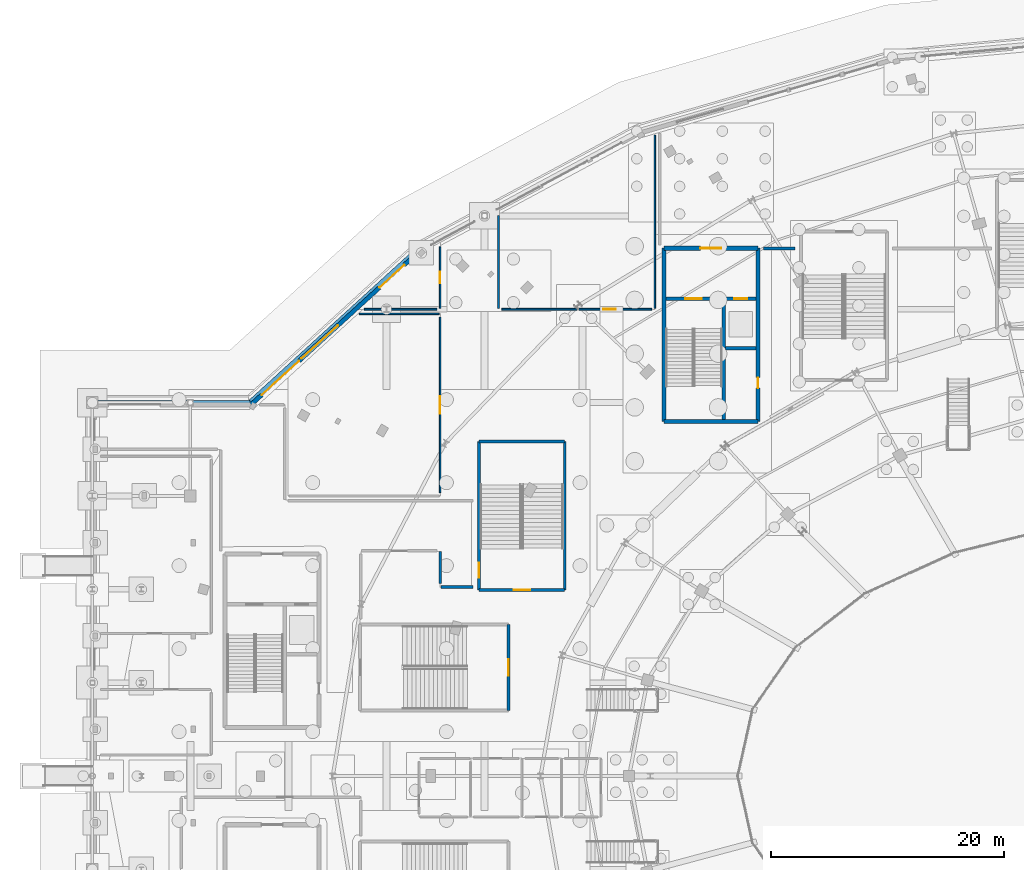
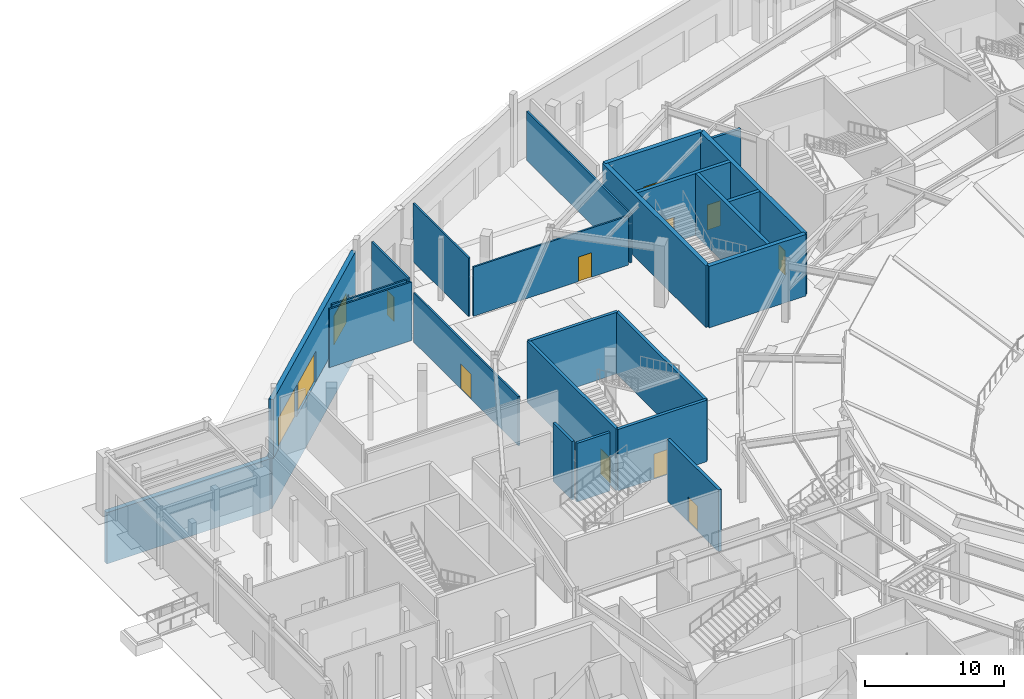
# One storey, part 57 of 93: 25 walls, 13 doors, 13 openings.
"""IFC4 building model written with IfcOpenShell, lengths in metres."""

from ifc_helpers import new_model, si_unit, direction, frame, frame_2d, origin, place, context, subcontext, project, spatial, rectangle, extrude, material, layer, layer_set, type_object, element, fill, save


model = new_model("IFC4")

# Units and contexts
model_context = context("Model", 3, precision=1e-05, world=origin(), true_north=direction((0.0, 1.0)))
body_context = subcontext(model_context, "Body", "Model", "MODEL_VIEW")
ifc_project = project(units=[si_unit("LENGTHUNIT", "METRE"), si_unit("AREAUNIT", "SQUARE_METRE"), si_unit("VOLUMEUNIT", "CUBIC_METRE"), si_unit("PLANEANGLEUNIT", "RADIAN"), si_unit("MASSUNIT", "GRAM", prefix="KILO")], contexts=[model_context])

# Site, building, storey
site_placement = place(None, origin())
site = spatial("IfcSite", under=ifc_project, at=site_placement, CompositionType="ELEMENT")
building_placement = place(site_placement, origin())
building = spatial("IfcBuilding", under=site, at=building_placement, Name="Kalgoora Escarpment Arena", CompositionType="ELEMENT")
storey_placement = place(building_placement, origin())
storey = spatial("IfcBuildingStorey", under=building, at=storey_placement, Name="L00", CompositionType="ELEMENT", Elevation=0.0)

# Wall
ifc_material_1 = material(Name="Concrete N50 (fc' 50 MPa)", Category="concrete")
ifc_layer_1 = layer(ifc_material_1, 0.35009765625)
ifc_layer_set_1 = layer_set([ifc_layer_1], Name="WAL-CORE-350")
wall_type_1 = type_object("IfcWallType", Name="WAL-CORE-350", PredefinedType="SHEAR", material=ifc_layer_set_1)
wall_1_placement = place(storey_placement, frame((48.97509765625, 94.375, 0.0), z_axis=(0.0, 0.0, 1.0), x_axis=(1.0, 0.0, 0.0)))
element("IfcWall", 1, at=wall_1_placement, inside=storey, type_object=wall_type_1, Name="Core C3 L00 south shear wall", PredefinedType="SHEAR", context=body_context, shape_type="SweptSolid", body=[
    extrude(rectangle(XDim=8.0498046875, YDim=0.35009765625, at=frame_2d((4.02490234375, 0.0))), origin(), (0.0, 0.0, 1.0), 5.39990234375),
])

# Wall, opening, door
wall_2_placement = place(storey_placement, frame((48.97509765625, 109.22509765625, 0.0), z_axis=(0.0, 0.0, 1.0), x_axis=(1.0, 0.0, 0.0)))
wall_2 = element("IfcWall", 2, at=wall_2_placement, inside=storey, type_object=wall_type_1, Name="Core C3 L00 north lobby wall", PredefinedType="SHEAR", context=body_context, shape_type="SweptSolid", body=[
    extrude(rectangle(XDim=8.0498046875, YDim=0.35009765625, at=frame_2d((4.02490234375, 0.0))), origin(), (0.0, 0.0, 1.0), 5.39990234375),
])
opening_1_placement = place(wall_2_placement, frame((3.125, 0.0, 0.0)))
opening_1 = element("IfcOpeningElement", 3, at=opening_1_placement, cuts=wall_2, Name="Opening FD-C3L", PredefinedType="OPENING", context=body_context, shape_type="SweptSolid", body=[
    extrude(rectangle(XDim=1.800048828125, YDim=2.25, at=frame_2d((0.89990234375, 1.125))), frame((0.0, 0.18505859375, 0.0), z_axis=(0.0, -1.0, 0.0), x_axis=(1.0, 0.0, 0.0)), (0.0, 0.0, 1.0), 0.3701171875),
])
ifc_material_2 = material(Name="Double fire-rated smoke-seal lobby door")
door_type_1 = type_object("IfcDoorType", Name="DR-LOBBY-1800", OperationType="NOTDEFINED", PredefinedType="DOOR", material=ifc_material_2)
door_1_placement = place(opening_1_placement, origin())
door_1 = element("IfcDoor", 4, at=door_1_placement, inside=storey, type_object=door_type_1, Name="Core C3 L00 smoke-lobby fire door", OperationType="DOUBLE_DOOR_SINGLE_SWING", OverallHeight=2.25, OverallWidth=1.800048828125, PredefinedType="DOOR", context=body_context, shape_type="SweptSolid", body=[
    extrude(rectangle(XDim=1.800048828125, YDim=2.25, at=frame_2d((0.89990234375, 1.125))), frame((0.0, 0.02490234375, 0.0), z_axis=(0.0, -1.0, 0.0), x_axis=(1.0, 0.0, 0.0)), (0.0, 0.0, 1.0), 0.050048828125),
])
fill(opening_1, door_1)

# Wall
wall_3_placement = place(storey_placement, frame((48.97509765625, 94.375, 0.0), z_axis=(0.0, 0.0, 1.0), x_axis=(0.0, 1.0, 0.0)))
element("IfcWall", 5, at=wall_3_placement, inside=storey, type_object=wall_type_1, Name="Core C3 L00 west shear wall", PredefinedType="SHEAR", context=body_context, shape_type="SweptSolid", body=[
    extrude(rectangle(XDim=14.85009765625, YDim=0.35009765625, at=frame_2d((7.425048828125, 0.0))), origin(), (0.0, 0.0, 1.0), 5.39990234375),
])

# Wall, opening, door
wall_4_placement = place(storey_placement, frame((57.02490234375, 94.375, 0.0), z_axis=(0.0, 0.0, 1.0), x_axis=(0.0, 1.0, 0.0)))
wall_4 = element("IfcWall", 6, at=wall_4_placement, inside=storey, type_object=wall_type_1, Name="Core C3 L00 east shear wall", PredefinedType="SHEAR", context=body_context, shape_type="SweptSolid", body=[
    extrude(rectangle(XDim=14.85009765625, YDim=0.35009765625, at=frame_2d((7.425048828125, 0.0))), origin(), (0.0, 0.0, 1.0), 5.39990234375),
])
opening_2_placement = place(wall_4_placement, frame((2.85498046875, 0.0, 0.0)))
opening_2 = element("IfcOpeningElement", 7, at=opening_2_placement, cuts=wall_4, Name="Opening FD-C3R", PredefinedType="OPENING", context=body_context, shape_type="SweptSolid", body=[
    extrude(rectangle(XDim=0.89990234375, YDim=2.10009765625, at=frame_2d((0.449951171875, 1.050048828125))), frame((0.0, 0.18505859375, 0.0), z_axis=(0.0, -1.0, 0.0), x_axis=(1.0, 0.0, 0.0)), (0.0, 0.0, 1.0), 0.3701171875),
])
ifc_material_3 = material(Name="Fire-rated steel riser access door", Category="steel")
door_type_2 = type_object("IfcDoorType", Name="DR-RISER-0900", OperationType="NOTDEFINED", PredefinedType="DOOR", material=ifc_material_3)
door_2_placement = place(opening_2_placement, origin())
door_2 = element("IfcDoor", 8, at=door_2_placement, inside=storey, type_object=door_type_2, Name="Core C3 L00 riser cupboard access door", OperationType="SINGLE_SWING_RIGHT", OverallHeight=2.10009765625, OverallWidth=0.89990234375, PredefinedType="DOOR", context=body_context, shape_type="SweptSolid", body=[
    extrude(rectangle(XDim=0.89990234375, YDim=2.10009765625, at=frame_2d((0.449951171875, 1.050048828125))), frame((0.0, 0.02490234375, 0.0), z_axis=(0.0, -1.0, 0.0), x_axis=(1.0, 0.0, 0.0)), (0.0, 0.0, 1.0), 0.050048828125),
])
fill(opening_2, door_2)

# Wall, openings, doors
ifc_material_4 = material(Name="Cream limestone-faced precast concrete 40 MPa", Category="masonry")
ifc_layer_2 = layer(ifc_material_4, 0.360107421875)
ifc_layer_set_2 = layer_set([ifc_layer_2], Name="WAL-EXT-360")
wall_type_2 = type_object("IfcWallType", Name="WAL-EXT-360", PredefinedType="SOLIDWALL", material=ifc_layer_set_2)
wall_5_placement = place(storey_placement, frame((13.617431640625, 95.837890625, 0.0), z_axis=(0.0, 0.0, 1.0), x_axis=(0.73898948924, 0.673716954509, 0.0)))
wall_5 = element("IfcWall", 9, at=wall_5_placement, inside=storey, type_object=wall_type_2, Name="L00 limestone-faced external wall 013", PredefinedType="SOLIDWALL", context=body_context, shape_type="SweptSolid", body=[
    extrude(rectangle(XDim=19.55078125, YDim=0.360107421875, at=frame_2d((9.775390625, 0.0))), origin(), (0.0, 0.0, 1.0), 5.14990234375),
])
opening_3_placement = place(wall_5_placement, frame((1.219970703125, 0.0, 0.0)))
opening_3 = element("IfcOpeningElement", 10, at=opening_3_placement, cuts=wall_5, Name="Opening G38", PredefinedType="OPENING", context=body_context, shape_type="SweptSolid", body=[
    extrude(rectangle(XDim=4.300048828125, YDim=2.75, at=frame_2d((2.14990234375, 1.375))), frame((0.0, 0.18994140625, 0.0), z_axis=(0.0, -1.0, 0.0), x_axis=(1.0, 0.0, 0.0)), (0.0, 0.0, 1.0), 0.380126953125),
])
opening_4_placement = place(wall_5_placement, frame((5.840087890625, 0.0, 0.0)))
opening_4 = element("IfcOpeningElement", 11, at=opening_4_placement, cuts=wall_5, Name="Opening G39", PredefinedType="OPENING", context=body_context, shape_type="SweptSolid", body=[
    extrude(rectangle(XDim=4.199951171875, YDim=2.699951171875, at=frame_2d((2.10009765625, 1.35009765625))), frame((0.0, 0.18994140625, 0.0), z_axis=(0.0, -1.0, 0.0), x_axis=(1.0, 0.0, 0.0)), (0.0, 0.0, 1.0), 0.380126953125),
])
opening_5_placement = place(wall_5_placement, frame((14.860107421875, 0.0, 0.0)))
opening_5 = element("IfcOpeningElement", 12, at=opening_5_placement, cuts=wall_5, Name="Opening G61", PredefinedType="OPENING", context=body_context, shape_type="SweptSolid", body=[
    extrude(rectangle(XDim=2.89990234375, YDim=2.550048828125, at=frame_2d((1.449951171875, 1.27490234375))), frame((0.0, 0.18994140625, 0.0), z_axis=(0.0, -1.0, 0.0), x_axis=(1.0, 0.0, 0.0)), (0.0, 0.0, 1.0), 0.380126953125),
])
ifc_material_5 = material(Name="Champagne anodised aluminium acoustic egress leaf", Category="aluminium")
door_type_3 = type_object("IfcDoorType", Name="DR-EGEXIT-2750", OperationType="NOTDEFINED", PredefinedType="DOOR", material=ifc_material_5)
door_3_placement = place(opening_4_placement, origin())
door_3 = element("IfcDoor", 13, at=door_3_placement, inside=storey, type_object=door_type_3, Name="Final pedestrian exit door G39", OperationType="DOUBLE_DOOR_SINGLE_SWING", OverallHeight=2.699951171875, OverallWidth=4.199951171875, PredefinedType="DOOR", context=body_context, shape_type="SweptSolid", body=[
    extrude(rectangle(XDim=4.199951171875, YDim=2.699951171875, at=frame_2d((2.10009765625, 1.35009765625))), frame((0.0, 0.02490234375, 0.0), z_axis=(0.0, -1.0, 0.0), x_axis=(1.0, 0.0, 0.0)), (0.0, 0.0, 1.0), 0.050048828125),
])
fill(opening_4, door_3)
ifc_material_6 = material(Name="Champagne anodised aluminium acoustic egress leaf", Category="aluminium")
door_type_4 = type_object("IfcDoorType", Name="DR-EGEXIT-2800", OperationType="NOTDEFINED", PredefinedType="DOOR", material=ifc_material_6)
door_4_placement = place(opening_3_placement, origin())
door_4 = element("IfcDoor", 14, at=door_4_placement, inside=storey, type_object=door_type_4, Name="Final pedestrian exit door G38", OperationType="DOUBLE_DOOR_SINGLE_SWING", OverallHeight=2.75, OverallWidth=4.300048828125, PredefinedType="DOOR", context=body_context, shape_type="SweptSolid", body=[
    extrude(rectangle(XDim=4.300048828125, YDim=2.75, at=frame_2d((2.14990234375, 1.375))), frame((0.0, 0.02490234375, 0.0), z_axis=(0.0, -1.0, 0.0), x_axis=(1.0, 0.0, 0.0)), (0.0, 0.0, 1.0), 0.050048828125),
])
fill(opening_3, door_4)
ifc_material_7 = material(Name="Champagne anodised aluminium pedestrian egress gate leaf", Category="aluminium")
door_type_5 = type_object("IfcDoorType", Name="DR-PEDGATE-2900", OperationType="NOTDEFINED", PredefinedType="DOOR", material=ifc_material_7)
door_5_placement = place(opening_5_placement, origin())
door_5 = element("IfcDoor", 15, at=door_5_placement, inside=storey, type_object=door_type_5, Name="Final pedestrian exit door G61", OperationType="DOUBLE_DOOR_SINGLE_SWING", OverallHeight=2.550048828125, OverallWidth=2.89990234375, PredefinedType="DOOR", context=body_context, shape_type="SweptSolid", body=[
    extrude(rectangle(XDim=2.89990234375, YDim=2.550048828125, at=frame_2d((1.449951171875, 1.27490234375))), frame((0.0, 0.02490234375, 0.0), z_axis=(0.0, -1.0, 0.0), x_axis=(1.0, 0.0, 0.0)), (0.0, 0.0, 1.0), 0.050048828125),
])
fill(opening_5, door_5)

# Walls
ifc_material_8 = material(Name="Autoclaved aerated blockwork Concrete N40 (fc' 40 MPa)", Category="masonry")
ifc_layer_3 = layer(ifc_material_8, 0.219970703125)
ifc_layer_set_3 = layer_set([ifc_layer_3], Name="WAL-FIRE-220")
wall_type_3 = type_object("IfcWallType", Name="WAL-FIRE-220", PredefinedType="SOLIDWALL", material=ifc_layer_set_3)
wall_6_placement = place(storey_placement, frame((60.22509765625, 109.199951171875, 0.0), z_axis=(0.0, 0.0, 1.0), x_axis=(-1.0, 0.0, 0.0)))
element("IfcWall", 16, at=wall_6_placement, inside=storey, type_object=wall_type_3, Name="L00 North Protected Exit Passageway partition wall", PredefinedType="SOLIDWALL", context=body_context, shape_type="SweptSolid", body=[
    extrude(rectangle(XDim=2.7001953125, YDim=0.219970703125, at=frame_2d((1.35009765625, 0.0))), origin(), (0.0, 0.0, 1.0), 4.492919921875),
])
wall_7_placement = place(storey_placement, frame((32.625, 80.199951171875, 0.0), z_axis=(0.0, 0.0, 1.0), x_axis=(-1.0, 0.0, 0.0)))
element("IfcWall", 17, at=wall_7_placement, inside=storey, type_object=wall_type_3, Name="L00 North-West Protected Exit Passageway partition wall", PredefinedType="SOLIDWALL", context=body_context, shape_type="SweptSolid", body=[
    extrude(rectangle(XDim=2.7451171875, YDim=0.219970703125, at=frame_2d((1.37255859375, 0.0))), origin(), (0.0, 0.0, 1.0), 5.1298828125),
])
wall_8_placement = place(storey_placement, frame((29.800048828125, 80.48486328125, 0.0), z_axis=(0.0, 0.0, 1.0), x_axis=(0.0, 1.0, 0.0)))
element("IfcWall", 18, at=wall_8_placement, inside=storey, type_object=wall_type_3, Name="L00 North-West Protected Exit Passageway partition wall", PredefinedType="SOLIDWALL", context=body_context, shape_type="SweptSolid", body=[
    extrude(rectangle(XDim=2.735107421875, YDim=0.219970703125, at=frame_2d((1.36767578125, 0.0))), origin(), (0.0, 0.0, 1.0), 5.1298828125),
])
ifc_material_9 = material(Name="Concrete N40 (fc' 40 MPa)", Category="concrete")
ifc_layer_4 = layer(ifc_material_9, 0.39501953125)
ifc_layer_set_4 = layer_set([ifc_layer_4], Name="WAL-RET-395")
wall_type_4 = type_object("IfcWallType", Name="WAL-RET-395", PredefinedType="USERDEFINED", material=ifc_layer_set_4)
wall_9_placement = place(storey_placement, frame((0.0, 96.0, -4.5), z_axis=(0.0, 0.0, 1.0), x_axis=(1.0, 0.0, 0.0)))
element("IfcWall", 19, at=wall_9_placement, inside=storey, type_object=wall_type_4, Name="Escarpment stepped limestone plinth retaining wall 10", ObjectType="RETAININGWALL", PredefinedType="USERDEFINED", context=body_context, shape_type="SweptSolid", body=[
    extrude(rectangle(XDim=13.5283203125, YDim=0.39501953125, at=frame_2d((6.76416015625, 0.0))), origin(), (0.0, 0.0, 1.0), 4.5),
])
ifc_material_10 = material(Name="Concrete N40 (fc' 40 MPa)", Category="concrete")
ifc_layer_5 = layer(ifc_material_10, 0.43994140625)
ifc_layer_set_5 = layer_set([ifc_layer_5], Name="WAL-RET-440")
wall_type_5 = type_object("IfcWallType", Name="WAL-RET-440", PredefinedType="USERDEFINED", material=ifc_layer_set_5)
wall_10_placement = place(storey_placement, frame((13.5283203125, 96.0, -4.5), z_axis=(0.0, 0.0, 1.0), x_axis=(0.738984680234, 0.673722229394, 0.0)))
element("IfcWall", 20, at=wall_10_placement, inside=storey, type_object=wall_type_5, Name="Escarpment stepped limestone plinth retaining wall 11", ObjectType="RETAININGWALL", PredefinedType="USERDEFINED", context=body_context, shape_type="SweptSolid", body=[
    extrude(rectangle(XDim=19.4638671875, YDim=0.43994140625, at=frame_2d((9.73193359375, 0.0))), origin(), (0.0, 0.0, 1.0), 4.5),
])

# Wall, opening, door
ifc_material_11 = material(Name="Insulated steel-stud acoustic partition", Category="steel")
ifc_layer_6 = layer(ifc_material_11, 0.14501953125)
ifc_layer_set_6 = layer_set([ifc_layer_6], Name="WAL-ROOM-145")
wall_type_6 = type_object("IfcWallType", Name="WAL-ROOM-145", PredefinedType="PARTITIONING", material=ifc_layer_set_6)
wall_11_placement = place(storey_placement, frame((29.800048828125, 109.331787109375, 0.0), z_axis=(0.0, 0.0, 1.0), x_axis=(0.0, -1.0, 0.0)))
wall_11 = element("IfcWall", 21, at=wall_11_placement, inside=storey, type_object=wall_type_6, Name="L00 Officials Room partition wall", PredefinedType="PARTITIONING", context=body_context, shape_type="SweptSolid", body=[
    extrude(rectangle(XDim=5.251708984375, YDim=0.14501953125, at=frame_2d((2.6259765625, 0.0))), origin(), (0.0, 0.0, 1.0), 5.1298828125),
])
opening_6_placement = place(wall_11_placement, frame((2.135986328125, 0.0, 0.0)))
opening_6 = element("IfcOpeningElement", 22, at=opening_6_placement, cuts=wall_11, Name="Opening D-I022", PredefinedType="OPENING", context=body_context, shape_type="SweptSolid", body=[
    extrude(rectangle(XDim=0.97998046875, YDim=2.14990234375, at=frame_2d((0.489990234375, 1.074951171875))), frame((0.0, 0.08251953125, 0.0), z_axis=(0.0, -1.0, 0.0), x_axis=(1.0, 0.0, 0.0)), (0.0, 0.0, 1.0), 0.1650390625),
])
ifc_material_12 = material(Name="Solid-core acoustic timber door", Category="wood")
door_type_6 = type_object("IfcDoorType", Name="DR-GEN-0980", OperationType="NOTDEFINED", PredefinedType="DOOR", material=ifc_material_12)
door_6_placement = place(opening_6_placement, origin())
door_6 = element("IfcDoor", 23, at=door_6_placement, inside=storey, type_object=door_type_6, Name="Officials Room entrance door", OperationType="SINGLE_SWING_LEFT", OverallHeight=2.14990234375, OverallWidth=0.97998046875, PredefinedType="DOOR", context=body_context, shape_type="SweptSolid", body=[
    extrude(rectangle(XDim=0.97998046875, YDim=2.14990234375, at=frame_2d((0.489990234375, 1.074951171875))), frame((0.0, 0.02490234375, 0.0), z_axis=(0.0, -1.0, 0.0), x_axis=(1.0, 0.0, 0.0)), (0.0, 0.0, 1.0), 0.050048828125),
])
fill(opening_6, door_6)

# Walls
wall_12_placement = place(storey_placement, frame((29.51513671875, 104.0, 0.0), z_axis=(0.0, 0.0, 1.0), x_axis=(-1.0, 0.0, 0.0)))
element("IfcWall", 24, at=wall_12_placement, inside=storey, type_object=wall_type_6, Name="L00 Officials Room partition wall", PredefinedType="PARTITIONING", context=body_context, shape_type="SweptSolid", body=[
    extrude(rectangle(XDim=6.197021484375, YDim=0.14501953125, at=frame_2d((3.0986328125, 0.0))), origin(), (0.0, 0.0, 1.0), 5.1298828125),
])
wall_13_placement = place(storey_placement, frame((34.800048828125, 104.080078125, 0.0), z_axis=(0.0, 0.0, 1.0), x_axis=(0.0, 1.0, 0.0)))
element("IfcWall", 25, at=wall_13_placement, inside=storey, type_object=wall_type_6, Name="L00 Referee Changing Lounge partition wall", PredefinedType="PARTITIONING", context=body_context, shape_type="SweptSolid", body=[
    extrude(rectangle(XDim=7.935791015625, YDim=0.14501953125, at=frame_2d((3.9677734375, 0.0))), origin(), (0.0, 0.0, 1.0), 5.1298828125),
])
wall_14_placement = place(storey_placement, frame((48.199951171875, 118.922119140625, 0.0), z_axis=(0.0, 0.0, 1.0), x_axis=(0.0, -1.0, 0.0)))
element("IfcWall", 26, at=wall_14_placement, inside=storey, type_object=wall_type_6, Name="L00 Referee Changing Lounge partition wall", PredefinedType="PARTITIONING", context=body_context, shape_type="SweptSolid", body=[
    extrude(rectangle(XDim=14.842041015625, YDim=0.14501953125, at=frame_2d((7.4208984375, 0.0))), origin(), (0.0, 0.0, 1.0), 4.304931640625),
])

# Wall, opening, door
wall_15_placement = place(storey_placement, frame((47.915283203125, 104.0, 0.0), z_axis=(0.0, 0.0, 1.0), x_axis=(-1.0, 0.0, 0.0)))
wall_15 = element("IfcWall", 27, at=wall_15_placement, inside=storey, type_object=wall_type_6, Name="L00 Referee Changing Lounge partition wall", PredefinedType="PARTITIONING", context=body_context, shape_type="SweptSolid", body=[
    extrude(rectangle(XDim=12.83056640625, YDim=0.14501953125, at=frame_2d((6.415283203125, 0.0))), origin(), (0.0, 0.0, 1.0), 4.304931640625),
])
opening_7_placement = place(wall_15_placement, frame((3.05517578125, 0.0, 0.0)))
opening_7 = element("IfcOpeningElement", 28, at=opening_7_placement, cuts=wall_15, Name="Opening FD-I023", PredefinedType="OPENING", context=body_context, shape_type="SweptSolid", body=[
    extrude(rectangle(XDim=1.080078125, YDim=2.14990234375, at=frame_2d((0.5400390625, 1.074951171875))), frame((0.0, 0.08251953125, 0.0), z_axis=(0.0, -1.0, 0.0), x_axis=(1.0, 0.0, 0.0)), (0.0, 0.0, 1.0), 0.1650390625),
])
ifc_material_13 = material(Name="Solid-core acoustic timber door", Category="wood")
door_type_7 = type_object("IfcDoorType", Name="DR-GEN-1080", OperationType="NOTDEFINED", PredefinedType="DOOR", material=ifc_material_13)
door_7_placement = place(opening_7_placement, origin())
door_7 = element("IfcDoor", 29, at=door_7_placement, inside=storey, type_object=door_type_7, Name="Referee Changing Lounge entrance door", OperationType="SINGLE_SWING_RIGHT", OverallHeight=2.14990234375, OverallWidth=1.080078125, PredefinedType="DOOR", context=body_context, shape_type="SweptSolid", body=[
    extrude(rectangle(XDim=1.080078125, YDim=2.14990234375, at=frame_2d((0.5400390625, 1.074951171875))), frame((0.0, 0.02490234375, 0.0), z_axis=(0.0, -1.0, 0.0), x_axis=(1.0, 0.0, 0.0)), (0.0, 0.0, 1.0), 0.050048828125),
])
fill(opening_7, door_7)

# Wall
wall_16_placement = place(storey_placement, frame((22.87939453125, 103.60009765625, 0.0), z_axis=(0.0, 0.0, 1.0), x_axis=(1.0, 0.0, 0.0)))
element("IfcWall", 30, at=wall_16_placement, inside=storey, type_object=wall_type_6, Name="L00 Central Kitchen Commissary partition wall", PredefinedType="PARTITIONING", context=body_context, shape_type="SweptSolid", body=[
    extrude(rectangle(XDim=6.840576171875, YDim=0.14501953125, at=frame_2d((3.42041015625, 0.0))), origin(), (0.0, 0.0, 1.0), 5.1298828125),
])

# Wall, opening, door
wall_17_placement = place(storey_placement, frame((29.800048828125, 103.315185546875, 0.0), z_axis=(0.0, 0.0, 1.0), x_axis=(0.0, -1.0, 0.0)))
wall_17 = element("IfcWall", 31, at=wall_17_placement, inside=storey, type_object=wall_type_6, Name="L00 Central Kitchen Commissary partition wall", PredefinedType="PARTITIONING", context=body_context, shape_type="SweptSolid", body=[
    extrude(rectangle(XDim=15.0302734375, YDim=0.14501953125, at=frame_2d((7.51513671875, 0.0))), origin(), (0.0, 0.0, 1.0), 4.304931640625),
])
opening_8_placement = place(wall_17_placement, frame((6.76513671875, 0.0, 0.0)))
opening_8 = element("IfcOpeningElement", 32, at=opening_8_placement, cuts=wall_17, Name="Opening FD-I028", PredefinedType="OPENING", context=body_context, shape_type="SweptSolid", body=[
    extrude(rectangle(XDim=1.5, YDim=2.199951171875, at=frame_2d((0.75, 1.10009765625))), frame((0.0, 0.08251953125, 0.0), z_axis=(0.0, -1.0, 0.0), x_axis=(1.0, 0.0, 0.0)), (0.0, 0.0, 1.0), 0.1650390625),
])
ifc_material_14 = material(Name="Stainless-clad fire-rated kitchen double door")
door_type_8 = type_object("IfcDoorType", Name="DR-KIT-1500", OperationType="NOTDEFINED", PredefinedType="DOOR", material=ifc_material_14)
door_8_placement = place(opening_8_placement, origin())
door_8 = element("IfcDoor", 33, at=door_8_placement, inside=storey, type_object=door_type_8, Name="Central Kitchen Commissary entrance door", OperationType="DOUBLE_DOOR_SINGLE_SWING", OverallHeight=2.199951171875, OverallWidth=1.5, PredefinedType="DOOR", context=body_context, shape_type="SweptSolid", body=[
    extrude(rectangle(XDim=1.5, YDim=2.199951171875, at=frame_2d((0.75, 1.10009765625))), frame((0.0, 0.02490234375, 0.0), z_axis=(0.0, -1.0, 0.0), x_axis=(1.0, 0.0, 0.0)), (0.0, 0.0, 1.0), 0.050048828125),
])
fill(opening_8, door_8)

# Wall, openings, doors
ifc_material_15 = material(Name="Concrete N50 (fc' 50 MPa)", Category="concrete")
ifc_layer_7 = layer(ifc_material_15, 0.300048828125)
ifc_layer_set_7 = layer_set([ifc_layer_7], Name="WAL-SHAFT-300")
wall_type_7 = type_object("IfcWallType", Name="WAL-SHAFT-300", PredefinedType="SHEAR", material=ifc_layer_set_7)
wall_18_placement = place(storey_placement, frame((49.14990234375, 104.89990234375, 0.0), z_axis=(0.0, 0.0, 1.0), x_axis=(1.0, 0.0, 0.0)))
wall_18 = element("IfcWall", 34, at=wall_18_placement, inside=storey, type_object=wall_type_7, Name="Core C3 L00 lobby shaft wall", PredefinedType="SHEAR", context=body_context, shape_type="SweptSolid", body=[
    extrude(rectangle(XDim=7.7001953125, YDim=0.300048828125, at=frame_2d((3.85009765625, 0.0))), origin(), (0.0, 0.0, 1.0), 5.39990234375),
])
opening_9_placement = place(wall_18_placement, frame((1.64990234375, 0.0, 0.0)))
opening_9 = element("IfcOpeningElement", 35, at=opening_9_placement, cuts=wall_18, Name="Opening FD-ST03", PredefinedType="OPENING", context=body_context, shape_type="SweptSolid", body=[
    extrude(rectangle(XDim=1.39990234375, YDim=2.199951171875, at=frame_2d((0.699951171875, 1.10009765625))), frame((0.0, 0.159912109375, 0.0), z_axis=(0.0, -1.0, 0.0), x_axis=(1.0, 0.0, 0.0)), (0.0, 0.0, 1.0), 0.320068359375),
])
opening_10_placement = place(wall_18_placement, frame((5.85009765625, 0.0, 0.0)))
opening_10 = element("IfcOpeningElement", 36, at=opening_10_placement, cuts=wall_18, Name="Opening LD-PL1", PredefinedType="OPENING", context=body_context, shape_type="SweptSolid", body=[
    extrude(rectangle(XDim=1.10009765625, YDim=2.199951171875, at=frame_2d((0.550048828125, 1.10009765625))), frame((0.0, 0.159912109375, 0.0), z_axis=(0.0, -1.0, 0.0), x_axis=(1.0, 0.0, 0.0)), (0.0, 0.0, 1.0), 0.320068359375),
])
ifc_material_16 = material(Name="Brushed stainless steel sliding lift landing door", Category="steel")
door_type_9 = type_object("IfcDoorType", Name="DR-LD-PL1", OperationType="SLIDING_TO_LEFT", PredefinedType="DOOR", material=ifc_material_16)
door_9_placement = place(opening_10_placement, origin())
door_9 = element("IfcDoor", 37, at=door_9_placement, inside=storey, type_object=door_type_9, Name="Lift PL1 L00 sliding landing door", OperationType="SLIDING_TO_LEFT", OverallHeight=2.199951171875, OverallWidth=1.10009765625, PredefinedType="DOOR", context=body_context, shape_type="SweptSolid", body=[
    extrude(rectangle(XDim=1.10009765625, YDim=2.199951171875, at=frame_2d((0.550048828125, 1.10009765625))), frame((0.0, 0.02490234375, 0.0), z_axis=(0.0, -1.0, 0.0), x_axis=(1.0, 0.0, 0.0)), (0.0, 0.0, 1.0), 0.050048828125),
])
fill(opening_10, door_9)
ifc_material_17 = material(Name="Fire-rated steel stair leaf with vision panel", Category="steel")
door_type_10 = type_object("IfcDoorType", Name="DR-STAIR-1400", OperationType="NOTDEFINED", PredefinedType="DOOR", material=ifc_material_17)
door_10_placement = place(opening_9_placement, origin())
door_10 = element("IfcDoor", 38, at=door_10_placement, inside=storey, type_object=door_type_10, Name="Fire stair ST03 L00 fire door", OperationType="SINGLE_SWING_LEFT", OverallHeight=2.199951171875, OverallWidth=1.39990234375, PredefinedType="DOOR", context=body_context, shape_type="SweptSolid", body=[
    extrude(rectangle(XDim=1.39990234375, YDim=2.199951171875, at=frame_2d((0.699951171875, 1.10009765625))), frame((0.0, 0.02490234375, 0.0), z_axis=(0.0, -1.0, 0.0), x_axis=(1.0, 0.0, 0.0)), (0.0, 0.0, 1.0), 0.050048828125),
])
fill(opening_9, door_10)

# Walls
wall_19_placement = place(storey_placement, frame((54.10009765625, 94.550048828125, 0.0), z_axis=(0.0, 0.0, 1.0), x_axis=(0.0, 1.0, 0.0)))
element("IfcWall", 39, at=wall_19_placement, inside=storey, type_object=wall_type_7, Name="Core C3 L00 stair-lift spine wall", PredefinedType="SHEAR", context=body_context, shape_type="SweptSolid", body=[
    extrude(rectangle(XDim=10.349853515625, YDim=0.300048828125, at=frame_2d((5.1748046875, 0.0))), origin(), (0.0, 0.0, 1.0), 5.39990234375),
])
wall_20_placement = place(storey_placement, frame((54.25, 100.64990234375, 0.0), z_axis=(0.0, 0.0, 1.0), x_axis=(1.0, 0.0, 0.0)))
element("IfcWall", 40, at=wall_20_placement, inside=storey, type_object=wall_type_7, Name="Core C3 L00 lift-riser divider wall", PredefinedType="SHEAR", context=body_context, shape_type="SweptSolid", body=[
    extrude(rectangle(XDim=2.60009765625, YDim=0.300048828125, at=frame_2d((1.300048828125, 0.0))), origin(), (0.0, 0.0, 1.0), 5.39990234375),
])

# Wall, opening, door
ifc_material_18 = material(Name="Concrete N50 (fc' 50 MPa)", Category="concrete")
ifc_layer_8 = layer(ifc_material_18, 0.25)
ifc_layer_set_8 = layer_set([ifc_layer_8], Name="WAL-STAIR-250")
wall_type_8 = type_object("IfcWallType", Name="WAL-STAIR-250", PredefinedType="SHEAR", material=ifc_layer_set_8)
wall_21_placement = place(storey_placement, frame((35.675048828125, 69.625, 0.0), z_axis=(0.0, 0.0, 1.0), x_axis=(0.0, 1.0, 0.0)))
wall_21 = element("IfcWall", 41, at=wall_21_placement, inside=storey, type_object=wall_type_8, Name="Exit stair ST17 L00 east wall", PredefinedType="SHEAR", context=body_context, shape_type="SweptSolid", body=[
    extrude(rectangle(XDim=7.35009765625, YDim=0.25, at=frame_2d((3.675048828125, 0.0))), origin(), (0.0, 0.0, 1.0), 5.39990234375),
])
opening_11_placement = place(wall_21_placement, frame((2.97509765625, 0.0, 0.0)))
opening_11 = element("IfcOpeningElement", 42, at=opening_11_placement, cuts=wall_21, Name="Opening FD-ST17", PredefinedType="OPENING", context=body_context, shape_type="SweptSolid", body=[
    extrude(rectangle(XDim=1.39990234375, YDim=2.199951171875, at=frame_2d((0.699951171875, 1.10009765625))), frame((0.0, 0.135009765625, 0.0), z_axis=(0.0, -1.0, 0.0), x_axis=(1.0, 0.0, 0.0)), (0.0, 0.0, 1.0), 0.27001953125),
])
door_11_placement = place(opening_11_placement, origin())
door_11 = element("IfcDoor", 43, at=door_11_placement, inside=storey, type_object=door_type_10, Name="Fire-isolated stair ST17 L00 egress door", OperationType="SINGLE_SWING_LEFT", OverallHeight=2.199951171875, OverallWidth=1.39990234375, PredefinedType="DOOR", context=body_context, shape_type="SweptSolid", body=[
    extrude(rectangle(XDim=1.39990234375, YDim=2.199951171875, at=frame_2d((0.699951171875, 1.10009765625))), frame((0.0, 0.02490234375, 0.0), z_axis=(0.0, -1.0, 0.0), x_axis=(1.0, 0.0, 0.0)), (0.0, 0.0, 1.0), 0.050048828125),
])
fill(opening_11, door_11)

wall_22_placement = place(storey_placement, frame((33.125, 79.925048828125, 0.0), z_axis=(0.0, 0.0, 1.0), x_axis=(1.0, 0.0, 0.0)))
wall_22 = element("IfcWall", 44, at=wall_22_placement, inside=storey, type_object=wall_type_8, Name="Exit stair ST19 L00 south wall", PredefinedType="SHEAR", context=body_context, shape_type="SweptSolid", body=[
    extrude(rectangle(XDim=7.35009765625, YDim=0.25, at=frame_2d((3.675048828125, 0.0))), origin(), (0.0, 0.0, 1.0), 5.39990234375),
])
opening_12_placement = place(wall_22_placement, frame((2.97509765625, 0.0, 0.0)))
opening_12 = element("IfcOpeningElement", 45, at=opening_12_placement, cuts=wall_22, Name="Opening FD-ST19", PredefinedType="OPENING", context=body_context, shape_type="SweptSolid", body=[
    extrude(rectangle(XDim=1.39990234375, YDim=2.199951171875, at=frame_2d((0.699951171875, 1.10009765625))), frame((0.0, 0.135009765625, 0.0), z_axis=(0.0, -1.0, 0.0), x_axis=(1.0, 0.0, 0.0)), (0.0, 0.0, 1.0), 0.27001953125),
])
door_12_placement = place(opening_12_placement, origin())
door_12 = element("IfcDoor", 46, at=door_12_placement, inside=storey, type_object=door_type_10, Name="Fire-isolated stair ST19 L00 egress door", OperationType="SINGLE_SWING_LEFT", OverallHeight=2.199951171875, OverallWidth=1.39990234375, PredefinedType="DOOR", context=body_context, shape_type="SweptSolid", body=[
    extrude(rectangle(XDim=1.39990234375, YDim=2.199951171875, at=frame_2d((0.699951171875, 1.10009765625))), frame((0.0, 0.02490234375, 0.0), z_axis=(0.0, -1.0, 0.0), x_axis=(1.0, 0.0, 0.0)), (0.0, 0.0, 1.0), 0.050048828125),
])
fill(opening_12, door_12)

# Wall
wall_23_placement = place(storey_placement, frame((33.125, 92.675048828125, 0.0), z_axis=(0.0, 0.0, 1.0), x_axis=(1.0, 0.0, 0.0)))
element("IfcWall", 47, at=wall_23_placement, inside=storey, type_object=wall_type_8, Name="Exit stair ST19 L00 north wall", PredefinedType="SHEAR", context=body_context, shape_type="SweptSolid", body=[
    extrude(rectangle(XDim=7.35009765625, YDim=0.25, at=frame_2d((3.675048828125, 0.0))), origin(), (0.0, 0.0, 1.0), 5.39990234375),
])

# Wall, opening, door
wall_24_placement = place(storey_placement, frame((33.125, 79.925048828125, 0.0), z_axis=(0.0, 0.0, 1.0), x_axis=(0.0, 1.0, 0.0)))
wall_24 = element("IfcWall", 48, at=wall_24_placement, inside=storey, type_object=wall_type_8, Name="Exit stair ST19 L00 west wall", PredefinedType="SHEAR", context=body_context, shape_type="SweptSolid", body=[
    extrude(rectangle(XDim=12.75, YDim=0.25, at=frame_2d((6.375, 0.0))), origin(), (0.0, 0.0, 1.0), 5.39990234375),
])
opening_13_placement = place(wall_24_placement, frame((1.050048828125, 0.0, 0.0)))
opening_13 = element("IfcOpeningElement", 49, at=opening_13_placement, cuts=wall_24, Name="Opening FD-ST19X", PredefinedType="OPENING", context=body_context, shape_type="SweptSolid", body=[
    extrude(rectangle(XDim=1.320068359375, YDim=2.199951171875, at=frame_2d((0.66015625, 1.10009765625))), frame((0.0, 0.135009765625, 0.0), z_axis=(0.0, -1.0, 0.0), x_axis=(1.0, 0.0, 0.0)), (0.0, 0.0, 1.0), 0.27001953125),
])
ifc_material_19 = material(Name="Fire-rated steel stair leaf with vision panel", Category="steel")
door_type_11 = type_object("IfcDoorType", Name="DR-STAIR-1320", OperationType="NOTDEFINED", PredefinedType="DOOR", material=ifc_material_19)
door_13_placement = place(opening_13_placement, origin())
door_13 = element("IfcDoor", 50, at=door_13_placement, inside=storey, type_object=door_type_11, Name="Fire-isolated stair ST19 L00 protected discharge door", OperationType="SINGLE_SWING_RIGHT", OverallHeight=2.199951171875, OverallWidth=1.320068359375, PredefinedType="DOOR", context=body_context, shape_type="SweptSolid", body=[
    extrude(rectangle(XDim=1.320068359375, YDim=2.199951171875, at=frame_2d((0.66015625, 1.10009765625))), frame((0.0, 0.02490234375, 0.0), z_axis=(0.0, -1.0, 0.0), x_axis=(1.0, 0.0, 0.0)), (0.0, 0.0, 1.0), 0.050048828125),
])
fill(opening_13, door_13)

# Wall
wall_25_placement = place(storey_placement, frame((40.47509765625, 79.925048828125, 0.0), z_axis=(0.0, 0.0, 1.0), x_axis=(0.0, 1.0, 0.0)))
element("IfcWall", 51, at=wall_25_placement, inside=storey, type_object=wall_type_8, Name="Exit stair ST19 L00 east wall", PredefinedType="SHEAR", context=body_context, shape_type="SweptSolid", body=[
    extrude(rectangle(XDim=12.75, YDim=0.25, at=frame_2d((6.375, 0.0))), origin(), (0.0, 0.0, 1.0), 5.39990234375),
])

save(model, "model.ifc")
